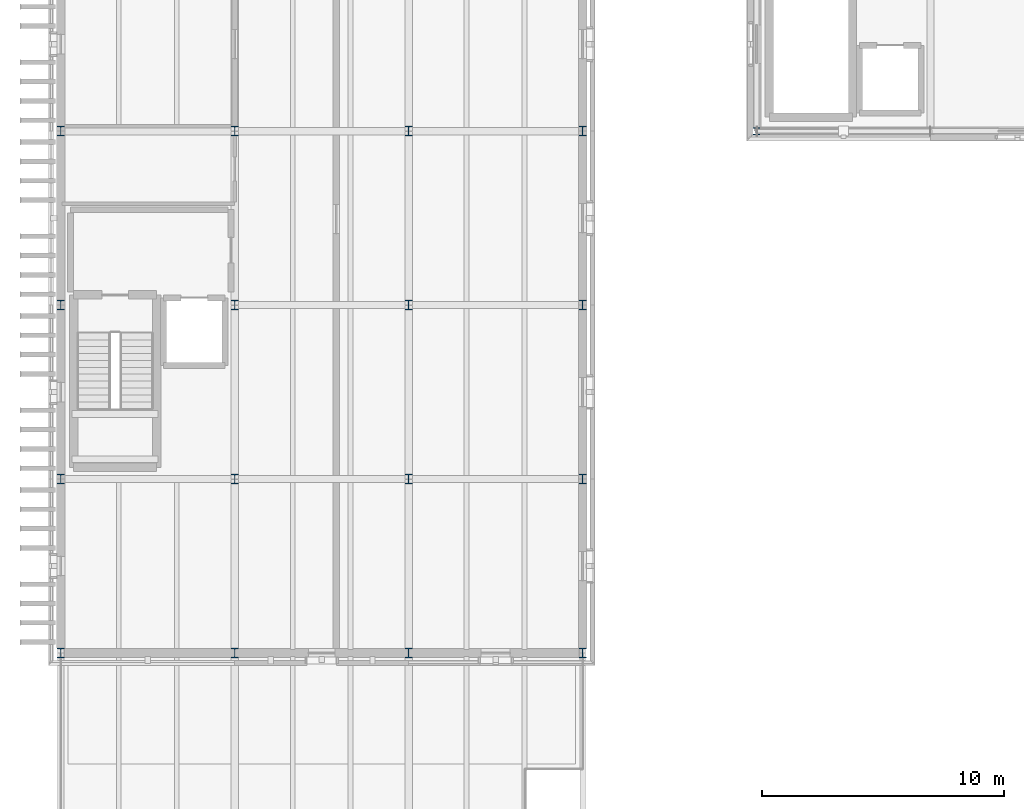
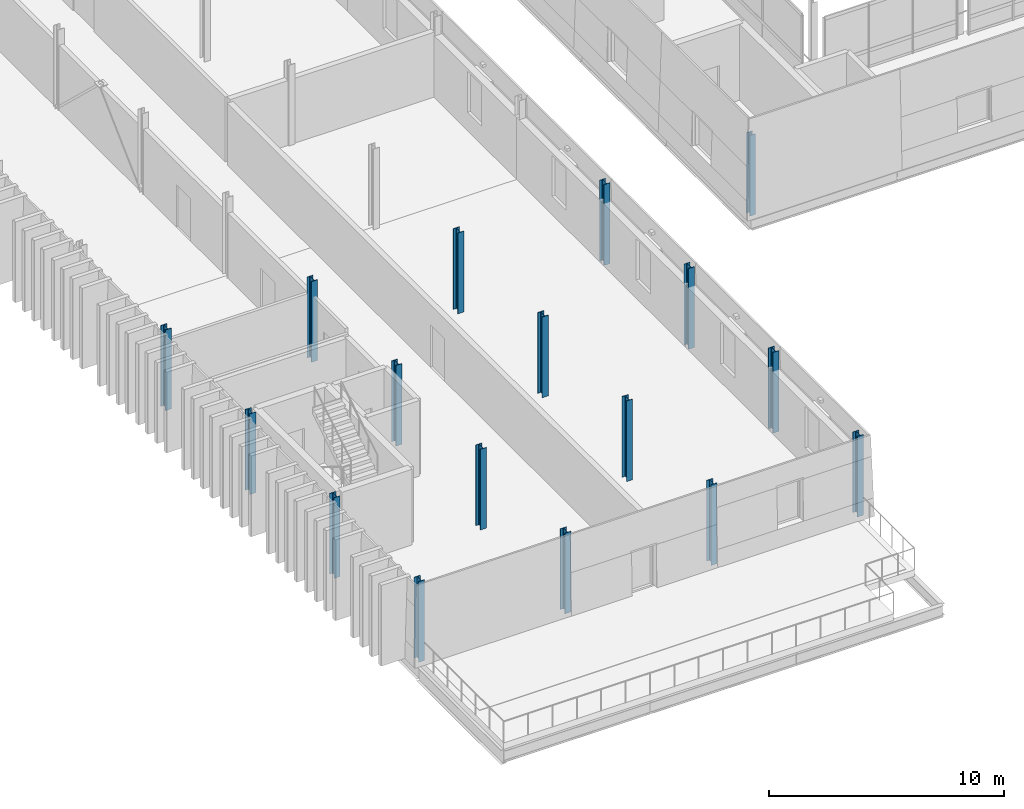
# One storey, part 1 of 66: 17 columns.
"""IFC4 building model written with IfcOpenShell, lengths in metres."""

from ifc_helpers import new_model, si_unit, direction, frame, origin, origin_2d, place, context, subcontext, project, spatial, i_section, extrude, material, material_profile, profile_set, type_object, element, save


model = new_model("IFC4")

# Units and contexts
model_context = context("Model", 3, precision=1e-05, world=origin(), true_north=direction((0.0, 1.0)))
body_context = subcontext(model_context, "Body", "Model", "MODEL_VIEW")
ifc_project = project(units=[si_unit("LENGTHUNIT", "METRE"), si_unit("AREAUNIT", "SQUARE_METRE"), si_unit("VOLUMEUNIT", "CUBIC_METRE"), si_unit("PLANEANGLEUNIT", "RADIAN"), si_unit("MASSUNIT", "GRAM", prefix="KILO")], contexts=[model_context])

# Site, building, storey
site_placement = place(None, origin())
site = spatial("IfcSite", under=ifc_project, at=site_placement, CompositionType="ELEMENT")
building_placement = place(site_placement, origin())
building = spatial("IfcBuilding", under=site, at=building_placement, Name="Narikvali Park Central Library", CompositionType="ELEMENT")
storey_placement = place(building_placement, frame((0.0, 0.0, 18.60009765625)))
storey = spatial("IfcBuildingStorey", under=building, at=storey_placement, Name="L04", CompositionType="ELEMENT", Elevation=18.60009765625)

# Columns
ifc_material = material(Name="Steel S355", Category="steel")
ifc_material_profile_1 = material_profile(ifc_material, i_section(OverallWidth=0.280029296875, OverallDepth=0.280029296875, WebThickness=0.010498046875, FlangeThickness=0.01806640625, FilletRadius=0.02392578125, at=origin_2d()), Name="HEB 280")
ifc_profile_set_1 = profile_set([ifc_material_profile_1], Name="Steel S355")
column_type_1 = type_object("IfcColumnType", Name="Steel Column HEB280", PredefinedType="COLUMN", material=ifc_profile_set_1)
column_placement = place(storey_placement, frame((28.800048828125, 57.60009765625, 0.0), z_axis=(0.0, 0.0, 1.0), x_axis=(1.0, 0.0, 0.0)))
element("IfcColumn", 1, at=column_placement, inside=storey, type_object=column_type_1, Name="V4 L04 Column (28.8,57.6)", PredefinedType="COLUMN", context=body_context, shape_type="SweptSolid", body=[
    extrude(i_section(OverallWidth=0.280029296875, OverallDepth=0.280029296875, WebThickness=0.010498046875, FlangeThickness=0.01806640625, FilletRadius=0.02392578125, at=origin_2d()), origin(), (0.0, 0.0, 1.0), 4.199951171875),
])
ifc_material_profile_2 = material_profile(ifc_material, i_section(OverallWidth=0.300048828125, OverallDepth=0.39990234375, WebThickness=0.013427734375, FlangeThickness=0.02392578125, FilletRadius=0.027099609375, at=origin_2d()), Name="HEB 400")
ifc_profile_set_2 = profile_set([ifc_material_profile_2], Name="Steel S355")
column_type_2 = type_object("IfcColumnType", Name="Steel Column HEB400", PredefinedType="COLUMN", material=ifc_profile_set_2)
for number, where, z_axis, x_axis, name in (
    (2, (0.0, 36.0, 0.0), (0.0, 0.0, 1.0), (1.0, 0.0, 0.0), "V5 L04 Column (0.0,36.0)"),
    (3, (0.0, 43.199951171875, 0.0), (0.0, 0.0, 1.0), (1.0, 0.0, 0.0), "V5 L04 Column (0.0,43.2)"),
    (4, (0.0, 50.39990234375, 0.0), (0.0, 0.0, 1.0), (1.0, 0.0, 0.0), "V5 L04 Column (0.0,50.4)"),
    (5, (0.0, 57.60009765625, 0.0), (0.0, 0.0, 1.0), (1.0, 0.0, 0.0), "V5 L04 Column (0.0,57.6)"),
    (6, (7.199951171875, 36.0, 0.0), (0.0, 0.0, 1.0), (1.0, 0.0, 0.0), "V5 L04 Column (7.2,36.0)"),
    (7, (7.199951171875, 43.199951171875, 0.0), (0.0, 0.0, 1.0), (1.0, 0.0, 0.0), "V5 L04 Column (7.2,43.2)"),
    (8, (7.199951171875, 50.39990234375, 0.0), (0.0, 0.0, 1.0), (1.0, 0.0, 0.0), "V5 L04 Column (7.2,50.4)"),
    (9, (7.199951171875, 57.60009765625, 0.0), (0.0, 0.0, 1.0), (1.0, 0.0, 0.0), "V5 L04 Column (7.2,57.6)"),
    (10, (14.39990234375, 36.0, 0.0), (0.0, 0.0, 1.0), (1.0, 0.0, 0.0), "V5 L04 Column (14.4,36.0)"),
    (11, (14.39990234375, 43.199951171875, 0.0), (0.0, 0.0, 1.0), (1.0, 0.0, 0.0), "V5 L04 Column (14.4,43.2)"),
    (12, (14.39990234375, 50.39990234375, 0.0), (0.0, 0.0, 1.0), (1.0, 0.0, 0.0), "V5 L04 Column (14.4,50.4)"),
    (13, (14.39990234375, 57.60009765625, 0.0), (0.0, 0.0, 1.0), (1.0, 0.0, 0.0), "V5 L04 Column (14.4,57.6)"),
    (14, (21.60009765625, 36.0, 0.0), (0.0, 0.0, 1.0), (1.0, 0.0, 0.0), "V5 L04 Column (21.6,36.0)"),
    (15, (21.60009765625, 43.199951171875, 0.0), (0.0, 0.0, 1.0), (1.0, 0.0, 0.0), "V5 L04 Column (21.6,43.2)"),
    (16, (21.60009765625, 50.39990234375, 0.0), (0.0, 0.0, 1.0), (1.0, 0.0, 0.0), "V5 L04 Column (21.6,50.4)"),
    (17, (21.60009765625, 57.60009765625, 0.0), (0.0, 0.0, 1.0), (1.0, 0.0, 0.0), "V5 L04 Column (21.6,57.6)"),
):
    element("IfcColumn", number, at=place(storey_placement, frame(where, z_axis=z_axis, x_axis=x_axis)), inside=storey, type_object=column_type_2, Name=name, PredefinedType="COLUMN", context=body_context, shape_type="SweptSolid", body=[
        extrude(i_section(OverallWidth=0.300048828125, OverallDepth=0.39990234375, WebThickness=0.013427734375, FlangeThickness=0.02392578125, FilletRadius=0.027099609375, at=origin_2d()), origin(), (0.0, 0.0, 1.0), 4.199951171875),
    ])

save(model, "model.ifc")
